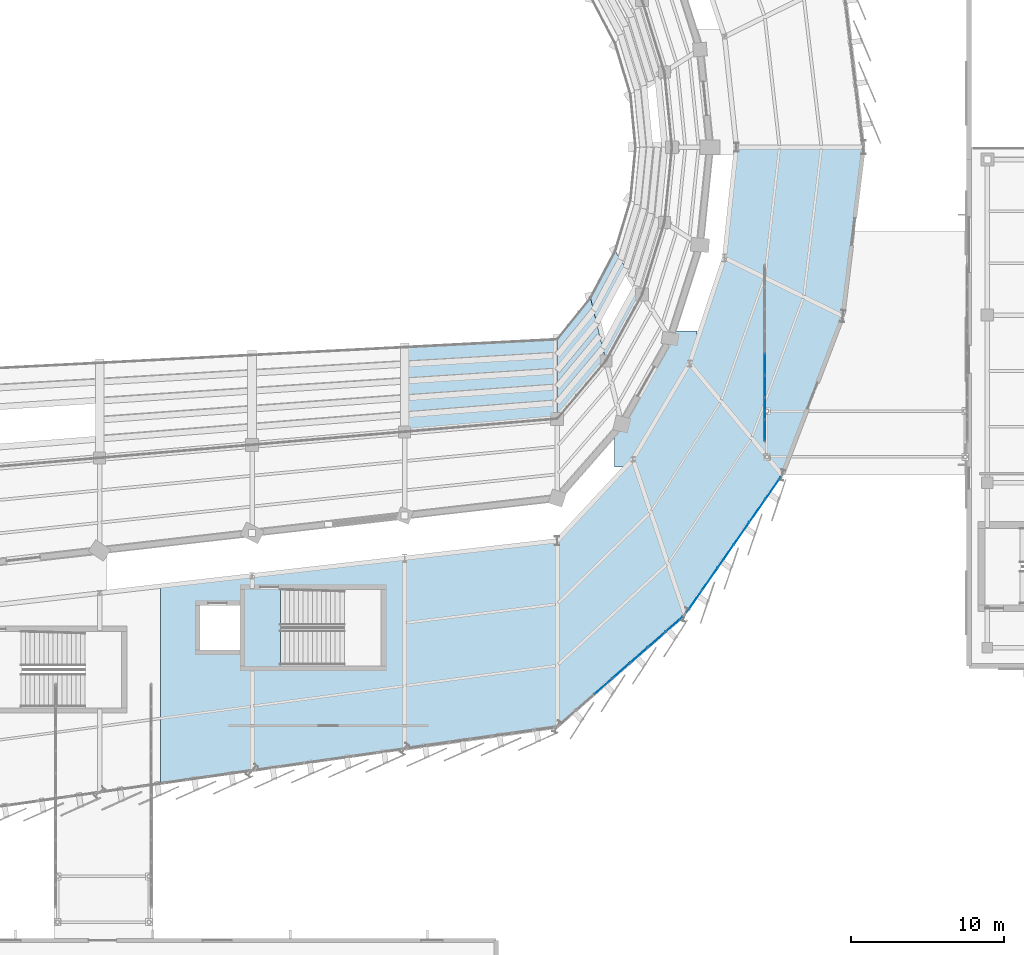
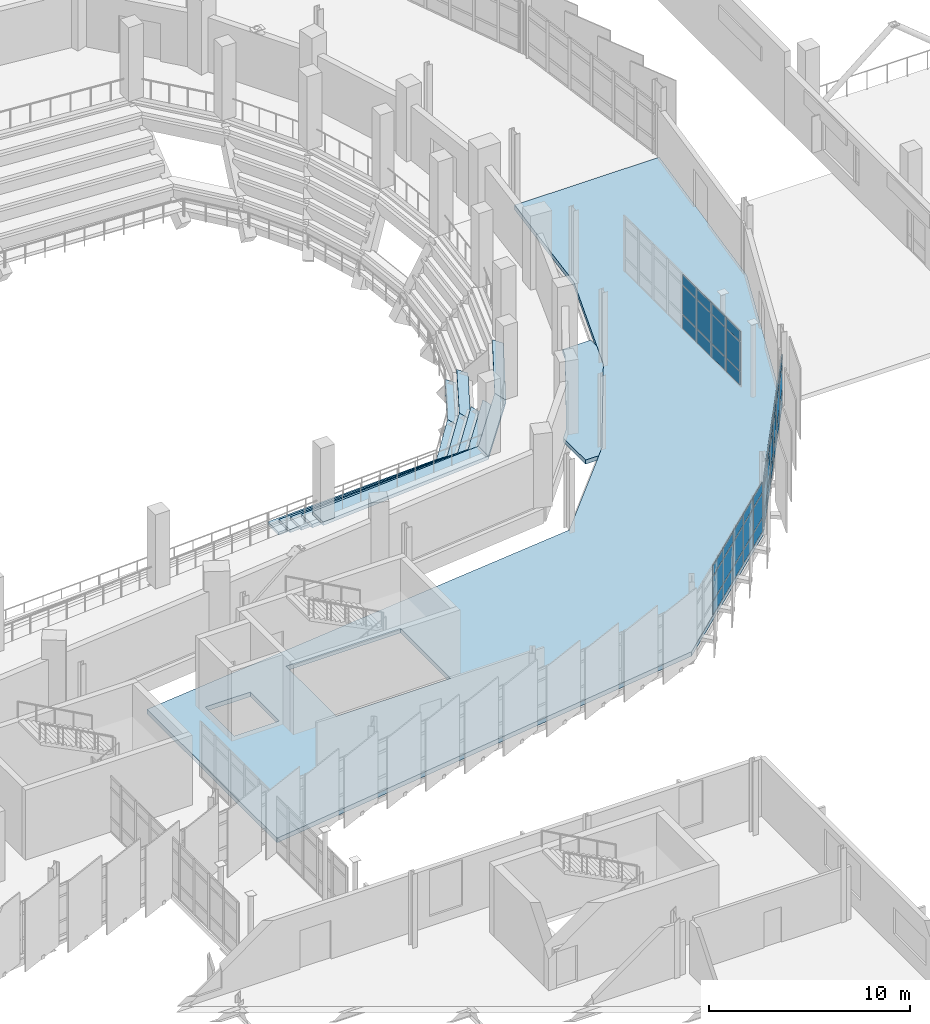
# One storey, part 98 of 134: 45 plates, 15 slabs, 3 elements without a shape of their own.
"""IFC4 building model written with IfcOpenShell, lengths in metres."""

import ifcopenshell
import ifcopenshell.guid

model = None  # the IFC model being written
_history = None  # IfcOwnerHistory: only IFC2X3 demands one
_inside = {}  # id of a spatial element -> (the spatial element, [elements in it])
_under = {}  # id of a project, library or spatial element -> (it, [spatial elements below it])
_declared = {}  # id of a project -> (the project, [libraries it declares])
_typed = {}  # id of a type object -> (the type object, [elements of that type])
_made_of = {}  # id of a material, layer set ... -> (it, [elements and type objects made of it])


def new_model(schema):
    """Start an empty IFC model of exactly this schema.

    Asked for "IFC4X3", IfcOpenShell would pick the latest addendum, in which some entities
    have other attributes; the version numbers below select the first issue.
    IFC2X3 requires an IfcOwnerHistory on every rooted entity: one is made here for all.
    """
    global model, _history
    if schema == "IFC4X3":
        model = ifcopenshell.file(schema_version=(4, 3, 0, 0))
    else:
        model = ifcopenshell.file(schema=schema)
    _inside.clear()
    _under.clear()
    _declared.clear()
    _typed.clear()
    _made_of.clear()
    _history = None
    if model.schema == "IFC2X3":
        org = make("IfcOrganization", Name="unknown")
        user = make(
            "IfcPersonAndOrganization",
            ThePerson=make("IfcPerson", FamilyName="unknown"),
            TheOrganization=org,
        )
        app = make(
            "IfcApplication",
            ApplicationDeveloper=org,
            Version="unknown",
            ApplicationFullName="unknown",
            ApplicationIdentifier="unknown",
        )
        _history = make(
            "IfcOwnerHistory",
            OwningUser=user,
            OwningApplication=app,
            ChangeAction="ADDED",
            CreationDate=0,
        )
    return model


def make(cls, **values):
    """One entity of the class cls with the attributes given. An attribute that is None is left unset."""
    return model.create_entity(
        cls, **{name: value for name, value in values.items() if value is not None}
    )


def rooted(cls, **values):
    """An entity with a GlobalId (a new one), such as an element, a storey or a relation."""
    return make(cls, GlobalId=ifcopenshell.guid.new(), OwnerHistory=_history, **values)


def si_unit(unit_type, name, prefix=None):
    """IfcSIUnit, for example si_unit("LENGTHUNIT", "METRE", prefix="MILLI")."""
    return make("IfcSIUnit", UnitType=unit_type, Prefix=prefix, Name=name)


def assignment(units):
    """IfcUnitAssignment: the units of a project."""
    return None if units is None else make("IfcUnitAssignment", Units=units)


def point(xyz):
    """IfcCartesianPoint."""
    return None if xyz is None else make("IfcCartesianPoint", Coordinates=xyz)


def direction(xyz):
    """IfcDirection."""
    return None if xyz is None else make("IfcDirection", DirectionRatios=xyz)


def frame(location, z_axis=None, x_axis=None):
    """IfcAxis2Placement3D, a coordinate frame: its origin and axes. An axis left out is left unset."""
    return make(
        "IfcAxis2Placement3D",
        Location=point(location),
        Axis=direction(z_axis),
        RefDirection=direction(x_axis),
    )


def frame_2d(location, x_axis=None):
    """IfcAxis2Placement2D, a coordinate frame in the plane: its origin and x axis."""
    return make(
        "IfcAxis2Placement2D", Location=point(location), RefDirection=direction(x_axis)
    )


def origin():
    """The frame at (0, 0, 0) with its axes left unset."""
    return frame((0.0, 0.0, 0.0))


def origin_2d():
    """The frame at (0, 0) in the plane with its x axis left unset."""
    return frame_2d((0.0, 0.0))


def place(relative_to, where):
    """IfcLocalPlacement: puts the frame where relative to a parent placement (None: the world)."""
    return make(
        "IfcLocalPlacement", PlacementRelTo=relative_to, RelativePlacement=where
    )


def context(
    kind, dimensions, precision=None, world=None, true_north=None, identifier=None
):
    """IfcGeometricRepresentationContext, for example the 3D "Model" context."""
    return make(
        "IfcGeometricRepresentationContext",
        ContextIdentifier=identifier,
        ContextType=kind,
        CoordinateSpaceDimension=dimensions,
        Precision=precision,
        WorldCoordinateSystem=world,
        TrueNorth=true_north,
    )


def subcontext(parent, identifier, kind, view, scale=None):
    """IfcGeometricRepresentationSubContext, for example "Body" below "Model"."""
    return make(
        "IfcGeometricRepresentationSubContext",
        ContextIdentifier=identifier,
        ContextType=kind,
        ParentContext=parent,
        TargetScale=scale,
        TargetView=view,
    )


def project(units=None, contexts=None):
    """IfcProject with its units and contexts."""
    return rooted(
        "IfcProject",
        Name="project",
        RepresentationContexts=contexts,
        UnitsInContext=assignment(units),
    )


def spatial(cls, under=None, at=None, **own):
    """A site, building, storey or space (cls), placed at a placement, below another one or the project."""
    s = rooted(cls, ObjectPlacement=at, **own)
    if under is not None:
        _under.setdefault(under.id(), (under, []))[1].append(s)
    return s


def polyline(points):
    """IfcPolyline through the points."""
    return make("IfcPolyline", Points=[point(p) for p in points])


def profile(cls, at=None, kind="AREA", **sizes):
    """A parametric profile (cls). Its sizes go by their IFC names, for example OverallWidth=200.0."""
    return make(cls, ProfileType=kind, Position=at, **sizes)


def rectangle(**sizes):
    """IfcRectangleProfileDef."""
    return profile("IfcRectangleProfileDef", **sizes)


def outline(outer, holes=None, kind="AREA"):
    """IfcArbitraryClosedProfileDef: a profile drawn as a closed curve; with holes, ...WithVoids."""
    if holes is None:
        return make("IfcArbitraryClosedProfileDef", ProfileType=kind, OuterCurve=outer)
    return make(
        "IfcArbitraryProfileDefWithVoids",
        ProfileType=kind,
        OuterCurve=outer,
        InnerCurves=holes,
    )


def extrude(swept, where, along, depth):
    """IfcExtrudedAreaSolid: the profile swept, set in the frame where, extruded along a direction by depth."""
    return make(
        "IfcExtrudedAreaSolid",
        SweptArea=swept,
        Position=where,
        ExtrudedDirection=direction(along),
        Depth=depth,
    )


def shape(context_of_items, identifier, shape_type, items):
    """IfcShapeRepresentation: the items that make up one representation, for example the "Body"."""
    return make(
        "IfcShapeRepresentation",
        ContextOfItems=context_of_items,
        RepresentationIdentifier=identifier,
        RepresentationType=shape_type,
        Items=items,
    )


def material(Name=None, Category=None):
    """IfcMaterial."""
    return make("IfcMaterial", Name=Name, Category=Category)


def layer(
    of_material, thickness, ventilated=None, Name=None, Category=None, Priority=None
):
    """IfcMaterialLayer: one layer of a wall or slab, of a material (None: an air gap)."""
    return make(
        "IfcMaterialLayer",
        Material=of_material,
        LayerThickness=thickness,
        IsVentilated=ventilated,
        Name=Name,
        Category=Category,
        Priority=Priority,
    )


def layer_set(layers, Name=None):
    """IfcMaterialLayerSet."""
    return make("IfcMaterialLayerSet", MaterialLayers=layers, LayerSetName=Name)


def made_of(thing, what):
    """Note that an element or type object is made of a material, layer set ...; save() writes the relation."""
    if what is not None:
        _made_of.setdefault(what.id(), (what, []))[1].append(thing)
    return thing


def type_object(cls, material=None, **own):
    """A type object (cls), such as IfcWallType, which elements share."""
    return made_of(rooted(cls, **own), material)


def element(
    cls,
    number,
    at=None,
    inside=None,
    cuts=None,
    type_object=None,
    material=None,
    context=None,
    identifier="Body",
    shape_type=None,
    held_by="IfcProductDefinitionShape",
    body=None,
    shapes=None,
    **own,
):
    """One element of the class cls, such as IfcWall. Its Tag is "e" and its number.

    at: its placement. inside: the storey or other place that contains it. cuts: it is an
    opening in that element (IfcRelVoidsElement). A single representation is given by context,
    identifier, shape_type and body (its items); several are given by shapes. held_by: the class
    of the entity that holds the representations. save() writes the other relations.
    """
    e = rooted(cls, Tag="e%d" % number, ObjectPlacement=at, **own)
    if body is not None:
        shapes = [shape(context, identifier, shape_type, body)]
    if shapes is not None:
        e.Representation = make(held_by, Representations=shapes)
    if inside is not None:
        _inside.setdefault(inside.id(), (inside, []))[1].append(e)
    if cuts is not None:
        rooted(
            "IfcRelVoidsElement", RelatingBuildingElement=cuts, RelatedOpeningElement=e
        )
    if type_object is not None:
        _typed.setdefault(type_object.id(), (type_object, []))[1].append(e)
    return made_of(e, material)


def aggregate(whole, parts):
    """IfcRelAggregates: a whole, such as a stair, and the parts it consists of."""
    return rooted("IfcRelAggregates", RelatingObject=whole, RelatedObjects=parts)


def save(model, path):
    """Write the relations noted so far, then the file.

    IfcRelAggregates (storeys below a building ...), IfcRelContainedInSpatialStructure (elements
    in a storey), IfcRelDefinesByType, IfcRelAssociatesMaterial and IfcRelDeclares: one each for
    every whole, place, type object, material and project.
    """
    for whole, parts in _under.values():
        aggregate(whole, parts)
    for where, things in _inside.values():
        rooted(
            "IfcRelContainedInSpatialStructure",
            RelatedElements=things,
            RelatingStructure=where,
        )
    for kind, things in _typed.values():
        rooted("IfcRelDefinesByType", RelatedObjects=things, RelatingType=kind)
    for what, things in _made_of.values():
        rooted("IfcRelAssociatesMaterial", RelatedObjects=things, RelatingMaterial=what)
    for by, libraries in _declared.values():
        rooted("IfcRelDeclares", RelatingContext=by, RelatedDefinitions=libraries)
    model.write(path)


model = new_model("IFC4")

# Units and contexts
model_context = context("Model", 3, precision=1e-05, world=origin(), true_north=direction((0.0, 1.0)))
body_context = subcontext(model_context, "Body", "Model", "MODEL_VIEW")
ifc_project = project(units=[si_unit("LENGTHUNIT", "METRE"), si_unit("AREAUNIT", "SQUARE_METRE"), si_unit("VOLUMEUNIT", "CUBIC_METRE"), si_unit("PLANEANGLEUNIT", "RADIAN"), si_unit("MASSUNIT", "GRAM", prefix="KILO")], contexts=[model_context])

# Site, building, storey
site_placement = place(None, origin())
site = spatial("IfcSite", under=ifc_project, at=site_placement, CompositionType="ELEMENT")
building_placement = place(site_placement, origin())
building = spatial("IfcBuilding", under=site, at=building_placement, Name="Sohan Crest Arena", CompositionType="ELEMENT")
storey_placement = place(building_placement, frame((0.0, 0.0, 4.5)))
storey = spatial("IfcBuildingStorey", under=building, at=storey_placement, Name="L01", CompositionType="ELEMENT", Elevation=4.5)

# Curtain wall, plates
ifc_material_1 = material(Name="Thermally broken anodised aluminium", Category="aluminium")
ifc_layer_1 = layer(ifc_material_1, 0.219970703125, Name="Thermally broken anodised aluminium")
ifc_layer_set_1 = layer_set([ifc_layer_1], Name="Thermally broken anodised aluminium")
curtain_wall_type_1 = type_object("IfcCurtainWallType", Name="ARC-CW03", PredefinedType="NOTDEFINED", material=ifc_layer_set_1)
curtain_wall_1_placement = place(storey_placement, origin())
curtain_wall_1 = element("IfcCurtainWall", 1, at=curtain_wall_1_placement, inside=storey, type_object=curtain_wall_type_1, Name="Unitised curtain wall CW-038", PredefinedType="NOTDEFINED")
ifc_material_2 = material(Name="Low-E double-glazed insulated glass", Category="glass")
ifc_layer_2 = layer(ifc_material_2, 0.028076171875, Name="Low-E double-glazed insulated glass")
ifc_layer_set_2 = layer_set([ifc_layer_2], Name="Low-E double-glazed insulated glass")
plate_type_1 = type_object("IfcPlateType", Name="ARC-CNP01", PredefinedType="CURTAIN_PANEL", material=ifc_layer_set_2)
plate_1_placement = place(storey_placement, frame((176.983642578125, 48.219482421875, 0.070068359375), z_axis=(0.0, 0.0, 1.0), x_axis=(0.570908450107, 0.821013728019, 0.0)))
plate_1 = element("IfcPlate", 2, at=plate_1_placement, type_object=plate_type_1, Name="CW-038 panel 1.1", PredefinedType="CURTAIN_PANEL", context=body_context, shape_type="SweptSolid", body=[
    extrude(rectangle(XDim=1.725341796875, YDim=0.028076171875, at=origin_2d()), origin(), (0.0, 0.0, 1.0), 0.794921875),
])
plate_2_placement = place(storey_placement, frame((176.983642578125, 48.219482421875, 0.93505859375), z_axis=(0.0, 0.0, 1.0), x_axis=(0.570908450107, 0.821013728019, 0.0)))
plate_2 = element("IfcPlate", 3, at=plate_2_placement, type_object=plate_type_1, Name="CW-038 panel 1.2", PredefinedType="CURTAIN_PANEL", context=body_context, shape_type="SweptSolid", body=[
    extrude(rectangle(XDim=1.725341796875, YDim=0.028076171875, at=origin_2d()), origin(), (0.0, 0.0, 1.0), 1.449951171875),
])
plate_3_placement = place(storey_placement, frame((176.983642578125, 48.219482421875, 2.455078125), z_axis=(0.0, 0.0, 1.0), x_axis=(0.570908450107, 0.821013728019, 0.0)))
plate_3 = element("IfcPlate", 4, at=plate_3_placement, type_object=plate_type_1, Name="CW-038 panel 1.3", PredefinedType="CURTAIN_PANEL", context=body_context, shape_type="SweptSolid", body=[
    extrude(rectangle(XDim=1.725341796875, YDim=0.028076171875, at=origin_2d()), origin(), (0.0, 0.0, 1.0), 0.594970703125),
])
plate_4_placement = place(storey_placement, frame((178.011474609375, 49.697509765625, 0.070068359375), z_axis=(0.0, 0.0, 1.0), x_axis=(0.570908450107, 0.821013728019, 0.0)))
plate_4 = element("IfcPlate", 5, at=plate_4_placement, type_object=plate_type_1, Name="CW-038 panel 2.1", PredefinedType="CURTAIN_PANEL", context=body_context, shape_type="SweptSolid", body=[
    extrude(rectangle(XDim=1.755126953125, YDim=0.028076171875, at=origin_2d()), origin(), (0.0, 0.0, 1.0), 0.794921875),
])
plate_5_placement = place(storey_placement, frame((178.011474609375, 49.697509765625, 0.93505859375), z_axis=(0.0, 0.0, 1.0), x_axis=(0.570908450107, 0.821013728019, 0.0)))
plate_5 = element("IfcPlate", 6, at=plate_5_placement, type_object=plate_type_1, Name="CW-038 panel 2.2", PredefinedType="CURTAIN_PANEL", context=body_context, shape_type="SweptSolid", body=[
    extrude(rectangle(XDim=1.755126953125, YDim=0.028076171875, at=origin_2d()), origin(), (0.0, 0.0, 1.0), 1.449951171875),
])
plate_6_placement = place(storey_placement, frame((178.011474609375, 49.697509765625, 2.455078125), z_axis=(0.0, 0.0, 1.0), x_axis=(0.570908450107, 0.821013728019, 0.0)))
plate_6 = element("IfcPlate", 7, at=plate_6_placement, type_object=plate_type_1, Name="CW-038 panel 2.3", PredefinedType="CURTAIN_PANEL", context=body_context, shape_type="SweptSolid", body=[
    extrude(rectangle(XDim=1.755126953125, YDim=0.028076171875, at=origin_2d()), origin(), (0.0, 0.0, 1.0), 0.594970703125),
])
plate_7_placement = place(storey_placement, frame((179.0478515625, 51.187744140625, 0.070068359375), z_axis=(0.0, 0.0, 1.0), x_axis=(0.570908450107, 0.821013728019, 0.0)))
plate_7 = element("IfcPlate", 8, at=plate_7_placement, type_object=plate_type_1, Name="CW-038 panel 3.1", PredefinedType="CURTAIN_PANEL", context=body_context, shape_type="SweptSolid", body=[
    extrude(rectangle(XDim=1.755126953125, YDim=0.028076171875, at=origin_2d()), origin(), (0.0, 0.0, 1.0), 0.794921875),
])
plate_8_placement = place(storey_placement, frame((179.0478515625, 51.187744140625, 0.93505859375), z_axis=(0.0, 0.0, 1.0), x_axis=(0.570908450107, 0.821013728019, 0.0)))
plate_8 = element("IfcPlate", 9, at=plate_8_placement, type_object=plate_type_1, Name="CW-038 panel 3.2", PredefinedType="CURTAIN_PANEL", context=body_context, shape_type="SweptSolid", body=[
    extrude(rectangle(XDim=1.755126953125, YDim=0.028076171875, at=origin_2d()), origin(), (0.0, 0.0, 1.0), 1.449951171875),
])
plate_9_placement = place(storey_placement, frame((179.0478515625, 51.187744140625, 2.455078125), z_axis=(0.0, 0.0, 1.0), x_axis=(0.570908450107, 0.821013728019, 0.0)))
plate_9 = element("IfcPlate", 10, at=plate_9_placement, type_object=plate_type_1, Name="CW-038 panel 3.3", PredefinedType="CURTAIN_PANEL", context=body_context, shape_type="SweptSolid", body=[
    extrude(rectangle(XDim=1.755126953125, YDim=0.028076171875, at=origin_2d()), origin(), (0.0, 0.0, 1.0), 0.594970703125),
])
plate_10_placement = place(storey_placement, frame((180.084228515625, 52.67822265625, 0.070068359375), z_axis=(0.0, 0.0, 1.0), x_axis=(0.570908450107, 0.821013728019, 0.0)))
plate_10 = element("IfcPlate", 11, at=plate_10_placement, type_object=plate_type_1, Name="CW-038 panel 4.1", PredefinedType="CURTAIN_PANEL", context=body_context, shape_type="SweptSolid", body=[
    extrude(rectangle(XDim=1.755126953125, YDim=0.028076171875, at=origin_2d()), origin(), (0.0, 0.0, 1.0), 0.794921875),
])
plate_11_placement = place(storey_placement, frame((180.084228515625, 52.67822265625, 0.93505859375), z_axis=(0.0, 0.0, 1.0), x_axis=(0.570908450107, 0.821013728019, 0.0)))
plate_11 = element("IfcPlate", 12, at=plate_11_placement, type_object=plate_type_1, Name="CW-038 panel 4.2", PredefinedType="CURTAIN_PANEL", context=body_context, shape_type="SweptSolid", body=[
    extrude(rectangle(XDim=1.755126953125, YDim=0.028076171875, at=origin_2d()), origin(), (0.0, 0.0, 1.0), 1.449951171875),
])
plate_12_placement = place(storey_placement, frame((180.084228515625, 52.67822265625, 2.455078125), z_axis=(0.0, 0.0, 1.0), x_axis=(0.570908450107, 0.821013728019, 0.0)))
plate_12 = element("IfcPlate", 13, at=plate_12_placement, type_object=plate_type_1, Name="CW-038 panel 4.3", PredefinedType="CURTAIN_PANEL", context=body_context, shape_type="SweptSolid", body=[
    extrude(rectangle(XDim=1.755126953125, YDim=0.028076171875, at=origin_2d()), origin(), (0.0, 0.0, 1.0), 0.594970703125),
])
plate_13_placement = place(storey_placement, frame((181.12060546875, 54.16845703125, 0.070068359375), z_axis=(0.0, 0.0, 1.0), x_axis=(0.570908450107, 0.821013728019, 0.0)))
plate_13 = element("IfcPlate", 14, at=plate_13_placement, type_object=plate_type_1, Name="CW-038 panel 5.1", PredefinedType="CURTAIN_PANEL", context=body_context, shape_type="SweptSolid", body=[
    extrude(rectangle(XDim=1.755126953125, YDim=0.028076171875, at=origin_2d()), origin(), (0.0, 0.0, 1.0), 0.794921875),
])
plate_14_placement = place(storey_placement, frame((181.12060546875, 54.16845703125, 0.93505859375), z_axis=(0.0, 0.0, 1.0), x_axis=(0.570908450107, 0.821013728019, 0.0)))
plate_14 = element("IfcPlate", 15, at=plate_14_placement, type_object=plate_type_1, Name="CW-038 panel 5.2", PredefinedType="CURTAIN_PANEL", context=body_context, shape_type="SweptSolid", body=[
    extrude(rectangle(XDim=1.755126953125, YDim=0.028076171875, at=origin_2d()), origin(), (0.0, 0.0, 1.0), 1.449951171875),
])
plate_15_placement = place(storey_placement, frame((181.12060546875, 54.16845703125, 2.455078125), z_axis=(0.0, 0.0, 1.0), x_axis=(0.570908450107, 0.821013728019, 0.0)))
plate_15 = element("IfcPlate", 16, at=plate_15_placement, type_object=plate_type_1, Name="CW-038 panel 5.3", PredefinedType="CURTAIN_PANEL", context=body_context, shape_type="SweptSolid", body=[
    extrude(rectangle(XDim=1.755126953125, YDim=0.028076171875, at=origin_2d()), origin(), (0.0, 0.0, 1.0), 0.594970703125),
])
plate_16_placement = place(storey_placement, frame((182.148193359375, 55.646484375, 0.070068359375), z_axis=(0.0, 0.0, 1.0), x_axis=(0.570908450107, 0.821013728019, 0.0)))
plate_16 = element("IfcPlate", 17, at=plate_16_placement, type_object=plate_type_1, Name="CW-038 panel 6.1", PredefinedType="CURTAIN_PANEL", context=body_context, shape_type="SweptSolid", body=[
    extrude(rectangle(XDim=1.725341796875, YDim=0.028076171875, at=origin_2d()), origin(), (0.0, 0.0, 1.0), 0.794921875),
])
plate_17_placement = place(storey_placement, frame((182.148193359375, 55.646484375, 0.93505859375), z_axis=(0.0, 0.0, 1.0), x_axis=(0.570908450107, 0.821013728019, 0.0)))
plate_17 = element("IfcPlate", 18, at=plate_17_placement, type_object=plate_type_1, Name="CW-038 panel 6.2", PredefinedType="CURTAIN_PANEL", context=body_context, shape_type="SweptSolid", body=[
    extrude(rectangle(XDim=1.725341796875, YDim=0.028076171875, at=origin_2d()), origin(), (0.0, 0.0, 1.0), 1.449951171875),
])
plate_18_placement = place(storey_placement, frame((182.148193359375, 55.646484375, 2.455078125), z_axis=(0.0, 0.0, 1.0), x_axis=(0.570908450107, 0.821013728019, 0.0)))
plate_18 = element("IfcPlate", 19, at=plate_18_placement, type_object=plate_type_1, Name="CW-038 panel 6.3", PredefinedType="CURTAIN_PANEL", context=body_context, shape_type="SweptSolid", body=[
    extrude(rectangle(XDim=1.725341796875, YDim=0.028076171875, at=origin_2d()), origin(), (0.0, 0.0, 1.0), 0.594970703125),
])
aggregate(curtain_wall_1, [plate_1, plate_2, plate_3, plate_4, plate_5, plate_6, plate_7, plate_8, plate_9, plate_10, plate_11, plate_12, plate_13, plate_14, plate_15, plate_16, plate_17, plate_18])

ifc_layer_3 = layer(ifc_material_1, 0.18994140625, Name="Thermally broken anodised aluminium")
ifc_layer_set_3 = layer_set([ifc_layer_3], Name="Thermally broken anodised aluminium")
curtain_wall_type_2 = type_object("IfcCurtainWallType", Name="ARC-CW05", PredefinedType="NOTDEFINED", material=ifc_layer_set_3)
curtain_wall_2_placement = place(storey_placement, origin())
curtain_wall_2 = element("IfcCurtainWall", 20, at=curtain_wall_2_placement, inside=storey, type_object=curtain_wall_type_2, Name="Unitised curtain wall CW-241", PredefinedType="NOTDEFINED")
plate_19_placement = place(storey_placement, frame((181.6201171875, 59.441162109375, 0.06005859375), z_axis=(0.0, 0.0, 1.0), x_axis=(0.0, 1.0, 0.0)))
plate_19 = element("IfcPlate", 21, at=plate_19_placement, type_object=plate_type_1, Name="CW-241 panel 1.1", PredefinedType="CURTAIN_PANEL", context=body_context, shape_type="SweptSolid", body=[
    extrude(rectangle(XDim=1.3525390625, YDim=0.028076171875, at=origin_2d()), origin(), (0.0, 0.0, 1.0), 0.81005859375),
])
plate_20_placement = place(storey_placement, frame((181.6201171875, 59.441162109375, 0.93017578125), z_axis=(0.0, 0.0, 1.0), x_axis=(0.0, 1.0, 0.0)))
plate_20 = element("IfcPlate", 22, at=plate_20_placement, type_object=plate_type_1, Name="CW-241 panel 1.2", PredefinedType="CURTAIN_PANEL", context=body_context, shape_type="SweptSolid", body=[
    extrude(rectangle(XDim=1.3525390625, YDim=0.028076171875, at=origin_2d()), origin(), (0.0, 0.0, 1.0), 1.739990234375),
])
plate_21_placement = place(storey_placement, frame((181.6201171875, 59.441162109375, 2.72998046875), z_axis=(0.0, 0.0, 1.0), x_axis=(0.0, 1.0, 0.0)))
plate_21 = element("IfcPlate", 23, at=plate_21_placement, type_object=plate_type_1, Name="CW-241 panel 1.3", PredefinedType="CURTAIN_PANEL", context=body_context, shape_type="SweptSolid", body=[
    extrude(rectangle(XDim=1.3525390625, YDim=0.028076171875, at=origin_2d()), origin(), (0.0, 0.0, 1.0), 0.610107421875),
])
plate_22_placement = place(storey_placement, frame((181.6201171875, 60.875, 0.06005859375), z_axis=(0.0, 0.0, 1.0), x_axis=(0.0, 1.0, 0.0)))
plate_22 = element("IfcPlate", 24, at=plate_22_placement, type_object=plate_type_1, Name="CW-241 panel 2.1", PredefinedType="CURTAIN_PANEL", context=body_context, shape_type="SweptSolid", body=[
    extrude(rectangle(XDim=1.385009765625, YDim=0.028076171875, at=origin_2d()), origin(), (0.0, 0.0, 1.0), 0.81005859375),
])
plate_23_placement = place(storey_placement, frame((181.6201171875, 60.875, 0.93017578125), z_axis=(0.0, 0.0, 1.0), x_axis=(0.0, 1.0, 0.0)))
plate_23 = element("IfcPlate", 25, at=plate_23_placement, type_object=plate_type_1, Name="CW-241 panel 2.2", PredefinedType="CURTAIN_PANEL", context=body_context, shape_type="SweptSolid", body=[
    extrude(rectangle(XDim=1.385009765625, YDim=0.028076171875, at=origin_2d()), origin(), (0.0, 0.0, 1.0), 1.739990234375),
])
plate_24_placement = place(storey_placement, frame((181.6201171875, 60.875, 2.72998046875), z_axis=(0.0, 0.0, 1.0), x_axis=(0.0, 1.0, 0.0)))
plate_24 = element("IfcPlate", 26, at=plate_24_placement, type_object=plate_type_1, Name="CW-241 panel 2.3", PredefinedType="CURTAIN_PANEL", context=body_context, shape_type="SweptSolid", body=[
    extrude(rectangle(XDim=1.385009765625, YDim=0.028076171875, at=origin_2d()), origin(), (0.0, 0.0, 1.0), 0.610107421875),
])
plate_25_placement = place(storey_placement, frame((181.6201171875, 62.324951171875, 0.06005859375), z_axis=(0.0, 0.0, 1.0), x_axis=(0.0, 1.0, 0.0)))
plate_25 = element("IfcPlate", 27, at=plate_25_placement, type_object=plate_type_1, Name="CW-241 panel 3.1", PredefinedType="CURTAIN_PANEL", context=body_context, shape_type="SweptSolid", body=[
    extrude(rectangle(XDim=1.385009765625, YDim=0.028076171875, at=origin_2d()), origin(), (0.0, 0.0, 1.0), 0.81005859375),
])
plate_26_placement = place(storey_placement, frame((181.6201171875, 62.324951171875, 0.93017578125), z_axis=(0.0, 0.0, 1.0), x_axis=(0.0, 1.0, 0.0)))
plate_26 = element("IfcPlate", 28, at=plate_26_placement, type_object=plate_type_1, Name="CW-241 panel 3.2", PredefinedType="CURTAIN_PANEL", context=body_context, shape_type="SweptSolid", body=[
    extrude(rectangle(XDim=1.385009765625, YDim=0.028076171875, at=origin_2d()), origin(), (0.0, 0.0, 1.0), 1.739990234375),
])
plate_27_placement = place(storey_placement, frame((181.6201171875, 62.324951171875, 2.72998046875), z_axis=(0.0, 0.0, 1.0), x_axis=(0.0, 1.0, 0.0)))
plate_27 = element("IfcPlate", 29, at=plate_27_placement, type_object=plate_type_1, Name="CW-241 panel 3.3", PredefinedType="CURTAIN_PANEL", context=body_context, shape_type="SweptSolid", body=[
    extrude(rectangle(XDim=1.385009765625, YDim=0.028076171875, at=origin_2d()), origin(), (0.0, 0.0, 1.0), 0.610107421875),
])
plate_28_placement = place(storey_placement, frame((181.6201171875, 63.77490234375, 0.06005859375), z_axis=(0.0, 0.0, 1.0), x_axis=(0.0, 1.0, 0.0)))
plate_28 = element("IfcPlate", 30, at=plate_28_placement, type_object=plate_type_1, Name="CW-241 panel 4.1", PredefinedType="CURTAIN_PANEL", context=body_context, shape_type="SweptSolid", body=[
    extrude(rectangle(XDim=1.385009765625, YDim=0.028076171875, at=origin_2d()), origin(), (0.0, 0.0, 1.0), 0.81005859375),
])
plate_29_placement = place(storey_placement, frame((181.6201171875, 63.77490234375, 0.93017578125), z_axis=(0.0, 0.0, 1.0), x_axis=(0.0, 1.0, 0.0)))
plate_29 = element("IfcPlate", 31, at=plate_29_placement, type_object=plate_type_1, Name="CW-241 panel 4.2", PredefinedType="CURTAIN_PANEL", context=body_context, shape_type="SweptSolid", body=[
    extrude(rectangle(XDim=1.385009765625, YDim=0.028076171875, at=origin_2d()), origin(), (0.0, 0.0, 1.0), 1.739990234375),
])
plate_30_placement = place(storey_placement, frame((181.6201171875, 63.77490234375, 2.72998046875), z_axis=(0.0, 0.0, 1.0), x_axis=(0.0, 1.0, 0.0)))
plate_30 = element("IfcPlate", 32, at=plate_30_placement, type_object=plate_type_1, Name="CW-241 panel 4.3", PredefinedType="CURTAIN_PANEL", context=body_context, shape_type="SweptSolid", body=[
    extrude(rectangle(XDim=1.385009765625, YDim=0.028076171875, at=origin_2d()), origin(), (0.0, 0.0, 1.0), 0.610107421875),
])
aggregate(curtain_wall_2, [plate_19, plate_20, plate_21, plate_22, plate_23, plate_24, plate_25, plate_26, plate_27, plate_28, plate_29, plate_30])

ifc_layer_4 = layer(ifc_material_1, 0.199951171875, Name="Thermally broken anodised aluminium")
ifc_layer_set_4 = layer_set([ifc_layer_4], Name="Thermally broken anodised aluminium")
curtain_wall_type_3 = type_object("IfcCurtainWallType", Name="ARC-CW02", PredefinedType="NOTDEFINED", material=ifc_layer_set_4)
curtain_wall_3_placement = place(storey_placement, origin())
curtain_wall_3 = element("IfcCurtainWall", 33, at=curtain_wall_3_placement, inside=storey, type_object=curtain_wall_type_3, Name="Unitised curtain wall CW-037", PredefinedType="NOTDEFINED")
ifc_material_3 = material(Name="Insulated polychrome ceramic spandrel panel", Category="masonry")
ifc_layer_5 = layer(ifc_material_3, 0.0419921875, Name="Insulated polychrome ceramic spandrel panel")
ifc_layer_set_5 = layer_set([ifc_layer_5], Name="Insulated polychrome ceramic spandrel panel")
plate_type_2 = type_object("IfcPlateType", Name="ARC-CNP04", PredefinedType="CURTAIN_PANEL", material=ifc_layer_set_5)
plate_31_placement = place(storey_placement, frame((171.02197265625, 42.6513671875, 0.06494140625), z_axis=(0.0, 0.0, 1.0), x_axis=(0.751694427881, 0.659511551903, 0.0)))
plate_31 = element("IfcPlate", 34, at=plate_31_placement, type_object=plate_type_2, Name="CW-037 panel 3.1", PredefinedType="CURTAIN_PANEL", context=body_context, shape_type="SweptSolid", body=[
    extrude(rectangle(XDim=1.48095703125, YDim=0.0419921875, at=origin_2d()), origin(), (0.0, 0.0, 1.0), 0.802490234375),
])
plate_32_placement = place(storey_placement, frame((171.02197265625, 42.6513671875, 0.932373046875), z_axis=(0.0, 0.0, 1.0), x_axis=(0.751694427881, 0.659511551903, 0.0)))
plate_32 = element("IfcPlate", 35, at=plate_32_placement, type_object=plate_type_2, Name="CW-037 panel 3.2", PredefinedType="CURTAIN_PANEL", context=body_context, shape_type="SweptSolid", body=[
    extrude(rectangle(XDim=1.48095703125, YDim=0.0419921875, at=origin_2d()), origin(), (0.0, 0.0, 1.0), 1.455078125),
])
plate_33_placement = place(storey_placement, frame((171.02197265625, 42.6513671875, 2.452392578125), z_axis=(0.0, 0.0, 1.0), x_axis=(0.751694427881, 0.659511551903, 0.0)))
plate_33 = element("IfcPlate", 36, at=plate_33_placement, type_object=plate_type_2, Name="CW-037 panel 3.3", PredefinedType="CURTAIN_PANEL", context=body_context, shape_type="SweptSolid", body=[
    extrude(rectangle(XDim=1.48095703125, YDim=0.0419921875, at=origin_2d()), origin(), (0.0, 0.0, 1.0), 0.6025390625),
])
plate_34_placement = place(storey_placement, frame((172.19140625, 43.677490234375, 0.06494140625), z_axis=(0.0, 0.0, 1.0), x_axis=(0.751694427881, 0.659511551903, 0.0)))
plate_34 = element("IfcPlate", 37, at=plate_34_placement, type_object=plate_type_2, Name="CW-037 panel 4.1", PredefinedType="CURTAIN_PANEL", context=body_context, shape_type="SweptSolid", body=[
    extrude(rectangle(XDim=1.48095703125, YDim=0.0419921875, at=origin_2d()), origin(), (0.0, 0.0, 1.0), 0.802490234375),
])
plate_35_placement = place(storey_placement, frame((172.19140625, 43.677490234375, 0.932373046875), z_axis=(0.0, 0.0, 1.0), x_axis=(0.751694427881, 0.659511551903, 0.0)))
plate_35 = element("IfcPlate", 38, at=plate_35_placement, type_object=plate_type_2, Name="CW-037 panel 4.2", PredefinedType="CURTAIN_PANEL", context=body_context, shape_type="SweptSolid", body=[
    extrude(rectangle(XDim=1.48095703125, YDim=0.0419921875, at=origin_2d()), origin(), (0.0, 0.0, 1.0), 1.455078125),
])
plate_36_placement = place(storey_placement, frame((172.19140625, 43.677490234375, 2.452392578125), z_axis=(0.0, 0.0, 1.0), x_axis=(0.751694427881, 0.659511551903, 0.0)))
plate_36 = element("IfcPlate", 39, at=plate_36_placement, type_object=plate_type_2, Name="CW-037 panel 4.3", PredefinedType="CURTAIN_PANEL", context=body_context, shape_type="SweptSolid", body=[
    extrude(rectangle(XDim=1.48095703125, YDim=0.0419921875, at=origin_2d()), origin(), (0.0, 0.0, 1.0), 0.6025390625),
])
plate_37_placement = place(storey_placement, frame((173.361083984375, 44.70361328125, 0.06494140625), z_axis=(0.0, 0.0, 1.0), x_axis=(0.751694427881, 0.659511551903, 0.0)))
plate_37 = element("IfcPlate", 40, at=plate_37_placement, type_object=plate_type_2, Name="CW-037 panel 5.1", PredefinedType="CURTAIN_PANEL", context=body_context, shape_type="SweptSolid", body=[
    extrude(rectangle(XDim=1.48095703125, YDim=0.0419921875, at=origin_2d()), origin(), (0.0, 0.0, 1.0), 0.802490234375),
])
plate_38_placement = place(storey_placement, frame((173.361083984375, 44.70361328125, 0.932373046875), z_axis=(0.0, 0.0, 1.0), x_axis=(0.751694427881, 0.659511551903, 0.0)))
plate_38 = element("IfcPlate", 41, at=plate_38_placement, type_object=plate_type_2, Name="CW-037 panel 5.2", PredefinedType="CURTAIN_PANEL", context=body_context, shape_type="SweptSolid", body=[
    extrude(rectangle(XDim=1.48095703125, YDim=0.0419921875, at=origin_2d()), origin(), (0.0, 0.0, 1.0), 1.455078125),
])
plate_39_placement = place(storey_placement, frame((173.361083984375, 44.70361328125, 2.452392578125), z_axis=(0.0, 0.0, 1.0), x_axis=(0.751694427881, 0.659511551903, 0.0)))
plate_39 = element("IfcPlate", 42, at=plate_39_placement, type_object=plate_type_2, Name="CW-037 panel 5.3", PredefinedType="CURTAIN_PANEL", context=body_context, shape_type="SweptSolid", body=[
    extrude(rectangle(XDim=1.48095703125, YDim=0.0419921875, at=origin_2d()), origin(), (0.0, 0.0, 1.0), 0.6025390625),
])
plate_40_placement = place(storey_placement, frame((174.53076171875, 45.729736328125, 0.06494140625), z_axis=(0.0, 0.0, 1.0), x_axis=(0.751694427881, 0.659511551903, 0.0)))
plate_40 = element("IfcPlate", 43, at=plate_40_placement, type_object=plate_type_2, Name="CW-037 panel 6.1", PredefinedType="CURTAIN_PANEL", context=body_context, shape_type="SweptSolid", body=[
    extrude(rectangle(XDim=1.48095703125, YDim=0.0419921875, at=origin_2d()), origin(), (0.0, 0.0, 1.0), 0.802490234375),
])
plate_41_placement = place(storey_placement, frame((174.53076171875, 45.729736328125, 0.932373046875), z_axis=(0.0, 0.0, 1.0), x_axis=(0.751694427881, 0.659511551903, 0.0)))
plate_41 = element("IfcPlate", 44, at=plate_41_placement, type_object=plate_type_2, Name="CW-037 panel 6.2", PredefinedType="CURTAIN_PANEL", context=body_context, shape_type="SweptSolid", body=[
    extrude(rectangle(XDim=1.48095703125, YDim=0.0419921875, at=origin_2d()), origin(), (0.0, 0.0, 1.0), 1.455078125),
])
plate_42_placement = place(storey_placement, frame((174.53076171875, 45.729736328125, 2.452392578125), z_axis=(0.0, 0.0, 1.0), x_axis=(0.751694427881, 0.659511551903, 0.0)))
plate_42 = element("IfcPlate", 45, at=plate_42_placement, type_object=plate_type_2, Name="CW-037 panel 6.3", PredefinedType="CURTAIN_PANEL", context=body_context, shape_type="SweptSolid", body=[
    extrude(rectangle(XDim=1.48095703125, YDim=0.0419921875, at=origin_2d()), origin(), (0.0, 0.0, 1.0), 0.6025390625),
])
plate_43_placement = place(storey_placement, frame((175.68603515625, 46.74365234375, 0.06494140625), z_axis=(0.0, 0.0, 1.0), x_axis=(0.751694427881, 0.659511551903, 0.0)))
plate_43 = element("IfcPlate", 46, at=plate_43_placement, type_object=plate_type_2, Name="CW-037 panel 7.1", PredefinedType="CURTAIN_PANEL", context=body_context, shape_type="SweptSolid", body=[
    extrude(rectangle(XDim=1.443359375, YDim=0.0419921875, at=origin_2d()), origin(), (0.0, 0.0, 1.0), 0.802490234375),
])
plate_44_placement = place(storey_placement, frame((175.68603515625, 46.74365234375, 0.932373046875), z_axis=(0.0, 0.0, 1.0), x_axis=(0.751694427881, 0.659511551903, 0.0)))
plate_44 = element("IfcPlate", 47, at=plate_44_placement, type_object=plate_type_2, Name="CW-037 panel 7.2", PredefinedType="CURTAIN_PANEL", context=body_context, shape_type="SweptSolid", body=[
    extrude(rectangle(XDim=1.443359375, YDim=0.0419921875, at=origin_2d()), origin(), (0.0, 0.0, 1.0), 1.455078125),
])
plate_45_placement = place(storey_placement, frame((175.68603515625, 46.74365234375, 2.452392578125), z_axis=(0.0, 0.0, 1.0), x_axis=(0.751694427881, 0.659511551903, 0.0)))
plate_45 = element("IfcPlate", 48, at=plate_45_placement, type_object=plate_type_2, Name="CW-037 panel 7.3", PredefinedType="CURTAIN_PANEL", context=body_context, shape_type="SweptSolid", body=[
    extrude(rectangle(XDim=1.443359375, YDim=0.0419921875, at=origin_2d()), origin(), (0.0, 0.0, 1.0), 0.6025390625),
])
aggregate(curtain_wall_3, [plate_31, plate_32, plate_33, plate_34, plate_35, plate_36, plate_37, plate_38, plate_39, plate_40, plate_41, plate_42, plate_43, plate_44, plate_45])

# Slabs
ifc_material_4 = material(Name="Concrete C40/50", Category="concrete")
ifc_layer_6 = layer(ifc_material_4, 0.25, Name="Concrete C40/50")
ifc_layer_set_6 = layer_set([ifc_layer_6], Name="Concrete C40/50")
slab_type_1 = type_object("IfcSlabType", Name="SL-FLR3", PredefinedType="FLOOR", material=ifc_layer_set_6)
slab_1_placement = place(storey_placement, frame((0.0, 0.0, -0.25)))
element("IfcSlab", 49, at=slab_1_placement, inside=storey, type_object=slab_type_1, Name="Seismic joint threshold slab L01 SL-TH-L01-20", PredefinedType="FLOOR", context=body_context, shape_type="SweptSolid", body=[
    extrude(outline(polyline([(176.674072265625, 63.824951171875), (172.9609375, 57.547119140625), (172.4970703125, 57.047119140625), (171.742919921875, 57.047119140625), (171.742919921875, 59.27490234375), (172.242919921875, 59.845947265625), (175.408935546875, 65.455078125), (175.568115234375, 65.955078125), (177.174072265625, 65.955078125), (177.174072265625, 65.3310546875), (176.674072265625, 63.824951171875)])), origin(), (0.0, 0.0, 1.0), 0.25),
])
ifc_layer_7 = layer(ifc_material_4, 0.27490234375, Name="Concrete C40/50")
ifc_layer_set_7 = layer_set([ifc_layer_7], Name="Concrete C40/50")
slab_type_2 = type_object("IfcSlabType", Name="SL-FLR4", PredefinedType="FLOOR", material=ifc_layer_set_7)
slab_2_placement = place(storey_placement, frame((0.0, 0.0, -0.27490234375)))
element("IfcSlab", 50, at=slab_2_placement, inside=storey, type_object=slab_type_2, Name="Concourse ring L01 sector 6 SL-L01-V2S6", PredefinedType="FLOOR", context=body_context, shape_type="SweptSolid", body=[
    extrude(outline(polyline([(186.72509765625, 66.929931640625), (182.7490234375, 56.510986328125), (176.383056640625, 47.35498046875), (168.0, 40.0), (142.0, 36.285888671875), (142.0, 49.22802734375), (168.0, 52.199951171875), (172.9609375, 57.547119140625), (176.674072265625, 63.824951171875), (178.971923828125, 70.748046875), (179.75, 78.0), (188.076904296875, 78.0), (186.72509765625, 66.929931640625)]), holes=[polyline([(156.449951171875, 49.0), (149.8701171875, 49.0), (149.8701171875, 44.0), (156.449951171875, 44.0), (156.449951171875, 49.0)]), polyline([(147.199951171875, 45.050048828125), (147.199951171875, 47.949951171875), (144.60009765625, 47.949951171875), (144.60009765625, 45.050048828125), (147.199951171875, 45.050048828125)])]), origin(), (0.0, 0.0, 1.0), 0.27490234375),
])
ifc_material_5 = material(Name="Precast concrete C50/60", Category="concrete")
ifc_layer_8 = layer(ifc_material_5, 0.179931640625, Name="Precast concrete C50/60")
ifc_layer_set_8 = layer_set([ifc_layer_8], Name="Precast concrete C50/60")
slab_type_3 = type_object("IfcSlabType", Name="SL-TIER1", PredefinedType="USERDEFINED", material=ifc_layer_set_8)
slab_3_placement = place(storey_placement, frame((0.0, 0.0, -3.865966796875)))
element("IfcSlab", 51, at=slab_3_placement, inside=storey, type_object=slab_type_3, Name="Lower bowl precast seating tier ST-LOW-151", ObjectType="SEATING TIER", PredefinedType="USERDEFINED", context=body_context, shape_type="SweptSolid", body=[
    extrude(outline(polyline([(158.0, 64.885986328125), (168.0, 65.39990234375), (168.0, 64.402099609375), (158.0, 63.822021484375), (158.0, 64.885986328125)])), origin(), (0.0, 0.0, 1.0), 0.179931640625),
])
slab_4_placement = place(storey_placement, frame((0.0, 0.0, -3.0458984375)))
element("IfcSlab", 52, at=slab_4_placement, inside=storey, type_object=slab_type_3, Name="Lower bowl precast seating tier ST-LOW-152", ObjectType="SEATING TIER", PredefinedType="USERDEFINED", context=body_context, shape_type="SweptSolid", body=[
    extrude(outline(polyline([(158.0, 63.777099609375), (168.0, 64.360107421875), (168.0, 63.362060546875), (158.0, 62.712890625), (158.0, 63.777099609375)])), origin(), (0.0, 0.0, 1.0), 0.179931640625),
])
slab_5_placement = place(storey_placement, frame((0.0, 0.0, -2.22607421875)))
element("IfcSlab", 53, at=slab_5_placement, inside=storey, type_object=slab_type_3, Name="Lower bowl precast seating tier ST-LOW-153", ObjectType="SEATING TIER", PredefinedType="USERDEFINED", context=body_context, shape_type="SweptSolid", body=[
    extrude(outline(polyline([(158.0, 62.6689453125), (168.0, 63.320068359375), (168.0, 62.322021484375), (158.0, 61.60498046875), (158.0, 62.6689453125)])), origin(), (0.0, 0.0, 1.0), 0.18017578125),
])
slab_6_placement = place(storey_placement, frame((0.0, 0.0, -3.865966796875)))
element("IfcSlab", 54, at=slab_6_placement, inside=storey, type_object=slab_type_3, Name="Lower bowl precast seating tier ST-LOW-161", ObjectType="SEATING TIER", PredefinedType="USERDEFINED", context=body_context, shape_type="SweptSolid", body=[
    extrude(outline(polyline([(168.0, 65.39990234375), (170.18603515625, 68.112060546875), (170.3798828125, 67.320068359375), (168.0, 64.402099609375), (168.0, 65.39990234375)])), origin(), (0.0, 0.0, 1.0), 0.179931640625),
])
slab_7_placement = place(storey_placement, frame((0.0, 0.0, -3.0458984375)))
element("IfcSlab", 55, at=slab_7_placement, inside=storey, type_object=slab_type_3, Name="Lower bowl precast seating tier ST-LOW-162", ObjectType="SEATING TIER", PredefinedType="USERDEFINED", context=body_context, shape_type="SweptSolid", body=[
    extrude(outline(polyline([(168.0, 64.360107421875), (170.387939453125, 67.287109375), (170.5810546875, 66.4951171875), (168.0, 63.362060546875), (168.0, 64.360107421875)])), origin(), (0.0, 0.0, 1.0), 0.179931640625),
])
slab_8_placement = place(storey_placement, frame((0.0, 0.0, -2.22607421875)))
element("IfcSlab", 56, at=slab_8_placement, inside=storey, type_object=slab_type_3, Name="Lower bowl precast seating tier ST-LOW-163", ObjectType="SEATING TIER", PredefinedType="USERDEFINED", context=body_context, shape_type="SweptSolid", body=[
    extrude(outline(polyline([(168.0, 63.320068359375), (170.589111328125, 66.4619140625), (170.782958984375, 65.6708984375), (168.0, 62.322021484375), (168.0, 63.320068359375)])), origin(), (0.0, 0.0, 1.0), 0.18017578125),
])
slab_9_placement = place(storey_placement, frame((0.0, 0.0, -3.865966796875)))
element("IfcSlab", 57, at=slab_9_placement, inside=storey, type_object=slab_type_3, Name="Lower bowl precast seating tier ST-LOW-166", ObjectType="SEATING TIER", PredefinedType="USERDEFINED", context=body_context, shape_type="SweptSolid", body=[
    extrude(outline(polyline([(170.18603515625, 68.112060546875), (171.80908203125, 71.195068359375), (172.14697265625, 70.64599609375), (170.3798828125, 67.320068359375), (170.18603515625, 68.112060546875)])), origin(), (0.0, 0.0, 1.0), 0.179931640625),
])
slab_10_placement = place(storey_placement, frame((0.0, 0.0, -3.0458984375)))
element("IfcSlab", 58, at=slab_10_placement, inside=storey, type_object=slab_type_3, Name="Lower bowl precast seating tier ST-LOW-167", ObjectType="SEATING TIER", PredefinedType="USERDEFINED", context=body_context, shape_type="SweptSolid", body=[
    extrude(outline(polyline([(170.387939453125, 67.287109375), (172.160888671875, 70.623046875), (172.5, 70.073974609375), (170.5810546875, 66.4951171875), (170.387939453125, 67.287109375)])), origin(), (0.0, 0.0, 1.0), 0.179931640625),
])
ifc_layer_9 = layer(ifc_material_5, 0.205078125, Name="Precast concrete C50/60")
ifc_layer_set_9 = layer_set([ifc_layer_9], Name="Precast concrete C50/60")
slab_type_4 = type_object("IfcSlabType", Name="SL-TIER2", PredefinedType="USERDEFINED", material=ifc_layer_set_9)
slab_11_placement = place(storey_placement, frame((0.0, 0.0, -1.406005859375)))
element("IfcSlab", 59, at=slab_11_placement, inside=storey, type_object=slab_type_4, Name="Lower bowl precast seating tier ST-LOW-154", ObjectType="SEATING TIER", PredefinedType="USERDEFINED", context=body_context, shape_type="SweptSolid", body=[
    extrude(outline(polyline([(158.0, 61.56005859375), (168.0, 62.280029296875), (168.0, 61.281982421875), (158.0, 60.49609375), (158.0, 61.56005859375)])), origin(), (0.0, 0.0, 1.0), 0.205078125),
])
slab_12_placement = place(storey_placement, frame((0.0, 0.0, -0.5859375)))
element("IfcSlab", 60, at=slab_12_placement, inside=storey, type_object=slab_type_4, Name="Lower bowl precast seating tier ST-LOW-155", ObjectType="SEATING TIER", PredefinedType="USERDEFINED", context=body_context, shape_type="SweptSolid", body=[
    extrude(outline(polyline([(158.0, 60.451904296875), (168.0, 61.239990234375), (168.0, 60.241943359375), (158.0, 59.386962890625), (158.0, 60.451904296875)])), origin(), (0.0, 0.0, 1.0), 0.204833984375),
])
slab_13_placement = place(storey_placement, frame((0.0, 0.0, -1.406005859375)))
element("IfcSlab", 61, at=slab_13_placement, inside=storey, type_object=slab_type_4, Name="Lower bowl precast seating tier ST-LOW-164", ObjectType="SEATING TIER", PredefinedType="USERDEFINED", context=body_context, shape_type="SweptSolid", body=[
    extrude(outline(polyline([(168.0, 62.280029296875), (170.791015625, 65.637939453125), (170.98388671875, 64.845947265625), (168.0, 61.281982421875), (168.0, 62.280029296875)])), origin(), (0.0, 0.0, 1.0), 0.205078125),
])
slab_14_placement = place(storey_placement, frame((0.0, 0.0, -0.5859375)))
element("IfcSlab", 62, at=slab_14_placement, inside=storey, type_object=slab_type_4, Name="Lower bowl precast seating tier ST-LOW-165", ObjectType="SEATING TIER", PredefinedType="USERDEFINED", context=body_context, shape_type="SweptSolid", body=[
    extrude(outline(polyline([(168.0, 61.239990234375), (170.991943359375, 64.81298828125), (171.18603515625, 64.02099609375), (168.0, 60.241943359375), (168.0, 61.239990234375)])), origin(), (0.0, 0.0, 1.0), 0.204833984375),
])
slab_15_placement = place(storey_placement, frame((0.0, 0.0, -0.5859375)))
element("IfcSlab", 63, at=slab_15_placement, inside=storey, type_object=slab_type_4, Name="Lower bowl precast seating tier ST-LOW-168", ObjectType="SEATING TIER", PredefinedType="USERDEFINED", context=body_context, shape_type="SweptSolid", body=[
    extrude(outline(polyline([(170.991943359375, 64.81298828125), (173.218994140625, 68.907958984375), (173.556884765625, 68.35888671875), (171.18603515625, 64.02099609375), (170.991943359375, 64.81298828125)])), origin(), (0.0, 0.0, 1.0), 0.204833984375),
])

save(model, "model.ifc")
